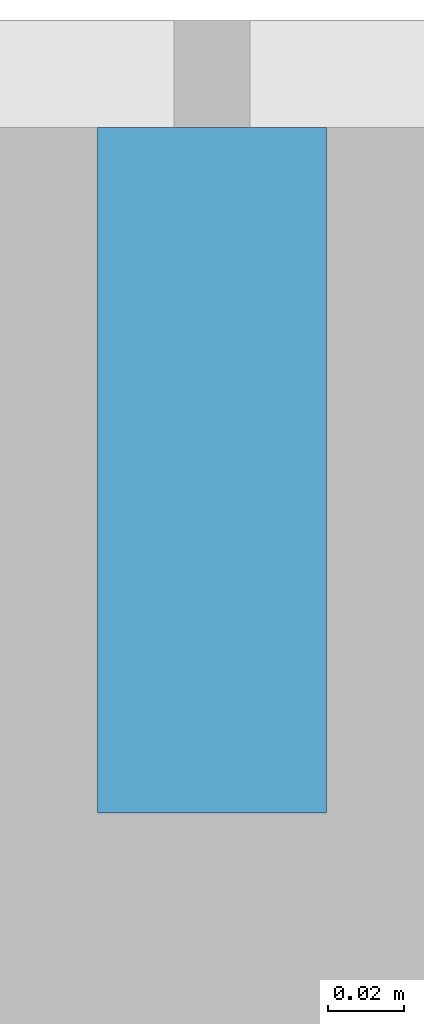
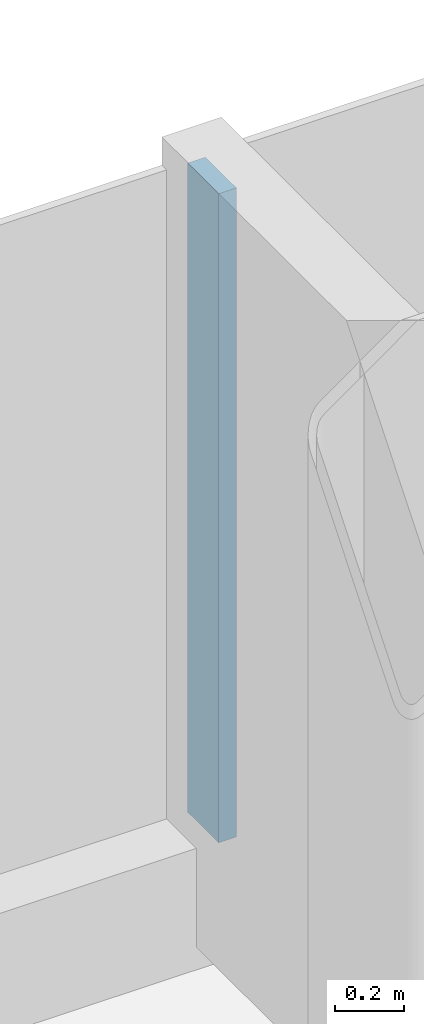
# One storey, part 9 of 25: 1 member, 1 element without a shape of its own.
"""IFC4 building model written with IfcOpenShell, lengths in metres."""

from ifc_helpers import new_model, si_unit, direction, frame, origin, origin_2d, place, context, subcontext, project, spatial, rectangle, extrude, material, layer, layer_set, material_profile, profile_set, type_object, element, aggregate, save


model = new_model("IFC4")

# Units and contexts
model_context = context("Model", 3, precision=1e-05, world=origin(), true_north=direction((0.0, 1.0)))
body_context = subcontext(model_context, "Body", "Model", "MODEL_VIEW")
ifc_project = project(units=[si_unit("LENGTHUNIT", "METRE"), si_unit("AREAUNIT", "SQUARE_METRE"), si_unit("VOLUMEUNIT", "CUBIC_METRE"), si_unit("PLANEANGLEUNIT", "RADIAN"), si_unit("MASSUNIT", "GRAM", prefix="KILO")], contexts=[model_context])

# Site, building, storey
site_placement = place(None, origin())
site = spatial("IfcSite", under=ifc_project, at=site_placement, CompositionType="ELEMENT")
building_placement = place(site_placement, origin())
building = spatial("IfcBuilding", under=site, at=building_placement, Name="Hakoniwa Tower and Hamabe Station Hall", CompositionType="ELEMENT")
storey_placement = place(building_placement, frame((0.0, 0.0, 202.60009765625)))
storey = spatial("IfcBuildingStorey", under=building, at=storey_placement, Name="L57", CompositionType="ELEMENT", Elevation=202.60009765625)

# Curtain wall, member
ifc_material_1 = material(Name="Dark low-e laminated glass", Category="glass")
ifc_layer = layer(ifc_material_1, 0.199951171875)
ifc_layer_set = layer_set([ifc_layer], Name="CW-1 UNITISED GUEST")
curtain_wall_type = type_object("IfcCurtainWallType", Name="CW-1 UNITISED GUEST", PredefinedType="NOTDEFINED", material=ifc_layer_set)
curtain_wall_placement = place(storey_placement, origin())
curtain_wall = element("IfcCurtainWall", 1, at=curtain_wall_placement, inside=storey, type_object=curtain_wall_type, Name="CW-1 curtain wall", PredefinedType="NOTDEFINED")
ifc_material_2 = material(Name="Aluminium 6063-T5 black anodised", Category="aluminium")
ifc_material_profile = material_profile(ifc_material_2, rectangle(XDim=0.06005859375, YDim=0.179931640625, at=origin_2d()), Name="CW-1 MULLION 60X180")
ifc_profile_set = profile_set([ifc_material_profile], Name="Aluminium 6063-T5 black anodised")
member_type = type_object("IfcMemberType", Name="CW-1 MULLION 60X180", PredefinedType="MULLION", material=ifc_profile_set)
member_placement = place(storey_placement, frame((16.800048828125, 20.431884765625, 0.349853515625), z_axis=(0.0, 0.0, 1.0), x_axis=(-1.0, 0.0, 0.0)))
member = element("IfcMember", 2, at=member_placement, type_object=member_type, Name="CW-1 mullion", PredefinedType="MULLION", context=body_context, shape_type="SweptSolid", body=[
    extrude(rectangle(XDim=0.06005859375, YDim=0.179931640625, at=origin_2d()), origin(), (0.0, 0.0, 1.0), 2.300048828125),
])
aggregate(curtain_wall, [member])

save(model, "model.ifc")
